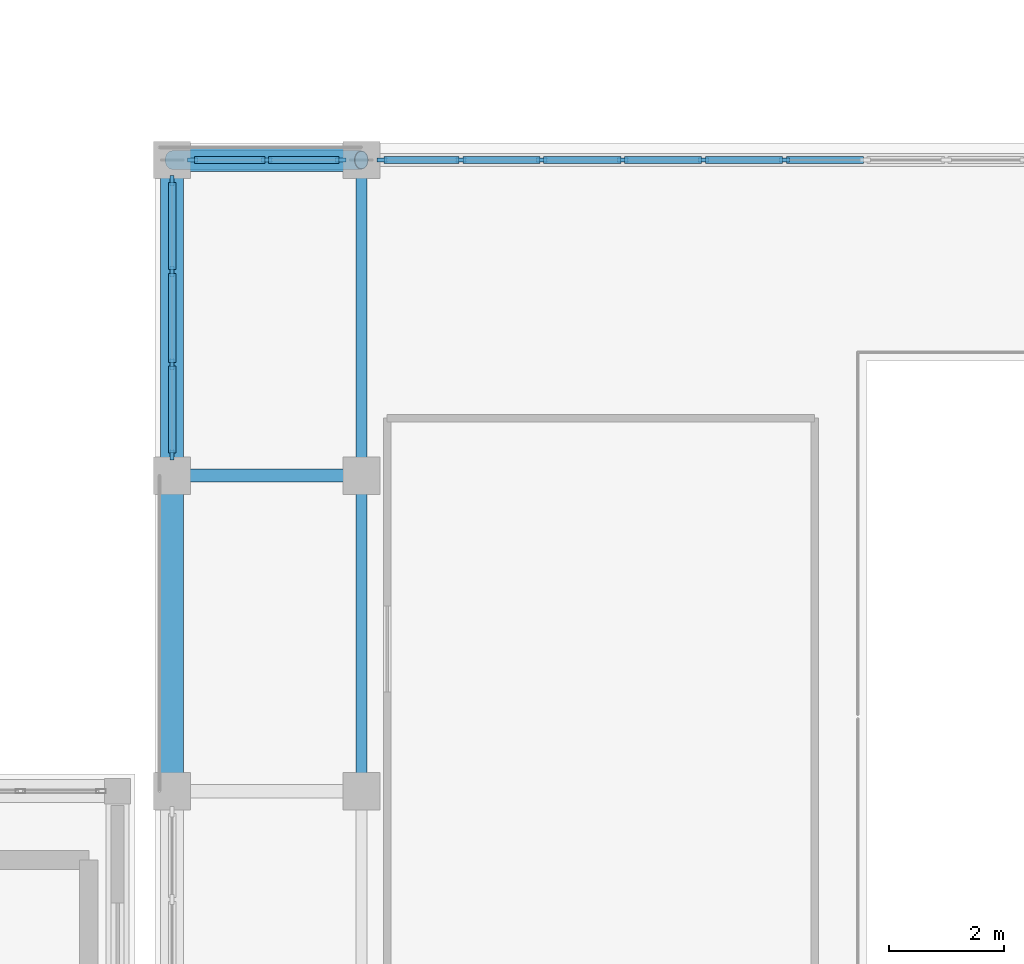
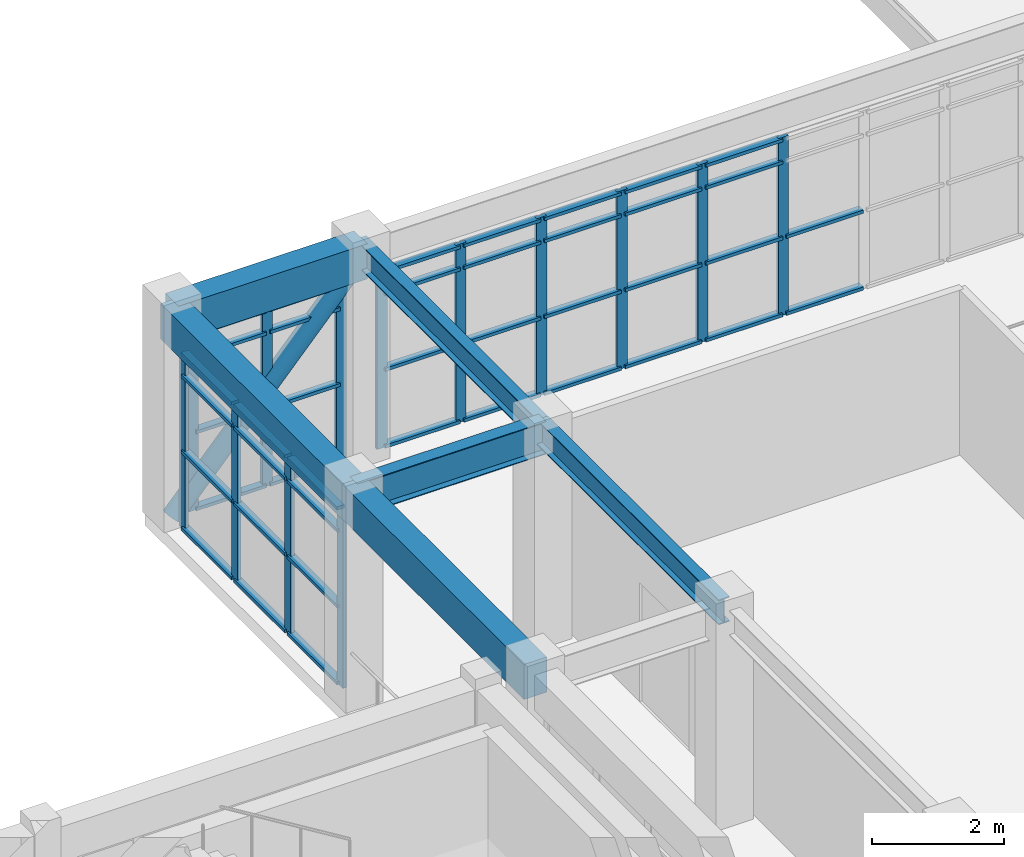
# One storey, part 24 of 66: 56 members, 6 beams, 3 elements without a shape of their own.
"""IFC4 building model written with IfcOpenShell, lengths in metres."""

from ifc_helpers import new_model, si_unit, direction, frame, origin, origin_2d, place, context, subcontext, project, spatial, rectangle, hollow_circle, i_section, extrude, material, layer, layer_set, material_profile, profile_set, type_object, element, aggregate, save


model = new_model("IFC4")

# Units and contexts
model_context = context("Model", 3, precision=1e-05, world=origin(), true_north=direction((0.0, 1.0)))
body_context = subcontext(model_context, "Body", "Model", "MODEL_VIEW")
ifc_project = project(units=[si_unit("LENGTHUNIT", "METRE"), si_unit("AREAUNIT", "SQUARE_METRE"), si_unit("VOLUMEUNIT", "CUBIC_METRE"), si_unit("PLANEANGLEUNIT", "RADIAN"), si_unit("MASSUNIT", "GRAM", prefix="KILO")], contexts=[model_context])

# Site, building, storey
site_placement = place(None, origin())
site = spatial("IfcSite", under=ifc_project, at=site_placement, CompositionType="ELEMENT")
building_placement = place(site_placement, origin())
building = spatial("IfcBuilding", under=site, at=building_placement, Name="Candilejo Ridge Gondola Terminal", CompositionType="ELEMENT")
storey_placement = place(building_placement, frame((0.0, 0.0, 14.39990234375)))
storey = spatial("IfcBuildingStorey", under=building, at=storey_placement, Name="L03", CompositionType="ELEMENT", Elevation=14.39990234375)

# Curtain wall, members
ifc_material_1 = material(Name="Anodised aluminium AA 6063-T6", Category="aluminium")
ifc_layer_1 = layer(ifc_material_1, 0.169921875)
ifc_layer_set_1 = layer_set([ifc_layer_1], Name="ARC-CW-HALL-3800-485X329")
curtain_wall_type_1 = type_object("IfcCurtainWallType", Name="ARC-CW-HALL-3800-485X329", PredefinedType="NOTDEFINED", material=ifc_layer_set_1)
curtain_wall_1_placement = place(storey_placement, origin())
curtain_wall_1 = element("IfcCurtainWall", 1, at=curtain_wall_1_placement, inside=storey, type_object=curtain_wall_type_1, Name="Curtain wall V4 L03-162", PredefinedType="NOTDEFINED")
ifc_material_2 = material(Name="Anodised aluminium AA 6063-T6", Category="aluminium")
ifc_material_profile_1 = material_profile(ifc_material_2, rectangle(XDim=0.06494140625, YDim=0.179931640625, at=origin_2d()))
ifc_profile_set_1 = profile_set([ifc_material_profile_1], Name="Anodised aluminium AA 6063-T6")
member_type_1 = type_object("IfcMemberType", Name="ARC-CW-MULLION-180", PredefinedType="MULLION", material=ifc_profile_set_1)
member_1_placement = place(storey_placement, frame((133.89990234375, 42.5576171875, 0.0), z_axis=(0.0, 0.0, 1.0), x_axis=(-1.0, 0.0, 0.0)))
member_1 = element("IfcMember", 2, at=member_1_placement, type_object=member_type_1, Name="CW-48X32 mullion 1", PredefinedType="MULLION", context=body_context, shape_type="SweptSolid", body=[
    extrude(rectangle(XDim=0.06494140625, YDim=0.179931640625, at=origin_2d()), origin(), (0.0, 0.0, 1.0), 3.2900390625),
])
member_2_placement = place(storey_placement, frame((133.89990234375, 44.1416015625, 0.0), z_axis=(0.0, 0.0, 1.0), x_axis=(-1.0, 0.0, 0.0)))
member_2 = element("IfcMember", 3, at=member_2_placement, type_object=member_type_1, Name="CW-48X32 mullion 2", PredefinedType="MULLION", context=body_context, shape_type="SweptSolid", body=[
    extrude(rectangle(XDim=0.06494140625, YDim=0.179931640625, at=origin_2d()), origin(), (0.0, 0.0, 1.0), 3.2900390625),
])
member_3_placement = place(storey_placement, frame((133.89990234375, 45.75830078125, 0.0), z_axis=(0.0, 0.0, 1.0), x_axis=(-1.0, 0.0, 0.0)))
member_3 = element("IfcMember", 4, at=member_3_placement, type_object=member_type_1, Name="CW-48X32 mullion 3", PredefinedType="MULLION", context=body_context, shape_type="SweptSolid", body=[
    extrude(rectangle(XDim=0.06494140625, YDim=0.179931640625, at=origin_2d()), origin(), (0.0, 0.0, 1.0), 3.2900390625),
])
member_4_placement = place(storey_placement, frame((133.89990234375, 47.342529296875, 0.0), z_axis=(0.0, 0.0, 1.0), x_axis=(-1.0, 0.0, 0.0)))
member_4 = element("IfcMember", 5, at=member_4_placement, type_object=member_type_1, Name="CW-48X32 mullion 4", PredefinedType="MULLION", context=body_context, shape_type="SweptSolid", body=[
    extrude(rectangle(XDim=0.06494140625, YDim=0.179931640625, at=origin_2d()), origin(), (0.0, 0.0, 1.0), 3.2900390625),
])

ifc_material_3 = material(Name="Anodised aluminium AA 6063-T6", Category="aluminium")
ifc_layer_2 = layer(ifc_material_3, 0.169921875)
ifc_layer_set_2 = layer_set([ifc_layer_2], Name="ARC-CW-HALL-3800-265X329")
curtain_wall_type_2 = type_object("IfcCurtainWallType", Name="ARC-CW-HALL-3800-265X329", PredefinedType="NOTDEFINED", material=ifc_layer_set_2)
curtain_wall_2_placement = place(storey_placement, origin())
curtain_wall_2 = element("IfcCurtainWall", 6, at=curtain_wall_2_placement, inside=storey, type_object=curtain_wall_type_2, Name="Curtain wall V4 L03-169", PredefinedType="NOTDEFINED")
member_5_placement = place(storey_placement, frame((134.257568359375, 47.699951171875, 0.0), z_axis=(0.0, 0.0, 1.0), x_axis=(0.0, 1.0, 0.0)))
member_5 = element("IfcMember", 7, at=member_5_placement, type_object=member_type_1, Name="CW-26X32 mullion 1", PredefinedType="MULLION", context=body_context, shape_type="SweptSolid", body=[
    extrude(rectangle(XDim=0.06494140625, YDim=0.179931640625, at=origin_2d()), origin(), (0.0, 0.0, 1.0), 3.2900390625),
])
member_6_placement = place(storey_placement, frame((135.550048828125, 47.699951171875, 0.0), z_axis=(0.0, 0.0, 1.0), x_axis=(0.0, 1.0, 0.0)))
member_6 = element("IfcMember", 8, at=member_6_placement, type_object=member_type_1, Name="CW-26X32 mullion 2", PredefinedType="MULLION", context=body_context, shape_type="SweptSolid", body=[
    extrude(rectangle(XDim=0.06494140625, YDim=0.179931640625, at=origin_2d()), origin(), (0.0, 0.0, 1.0), 3.2900390625),
])
member_7_placement = place(storey_placement, frame((136.842529296875, 47.699951171875, 0.0), z_axis=(0.0, 0.0, 1.0), x_axis=(0.0, 1.0, 0.0)))
member_7 = element("IfcMember", 9, at=member_7_placement, type_object=member_type_1, Name="CW-26X32 mullion 3", PredefinedType="MULLION", context=body_context, shape_type="SweptSolid", body=[
    extrude(rectangle(XDim=0.06494140625, YDim=0.179931640625, at=origin_2d()), origin(), (0.0, 0.0, 1.0), 3.2900390625),
])

ifc_material_4 = material(Name="Anodised aluminium AA 6063-T6", Category="aluminium")
ifc_layer_3 = layer(ifc_material_4, 0.169921875)
ifc_layer_set_3 = layer_set([ifc_layer_3], Name="ARC-CW-HALL-3800-1128X329")
curtain_wall_type_3 = type_object("IfcCurtainWallType", Name="ARC-CW-HALL-3800-1128X329", PredefinedType="NOTDEFINED", material=ifc_layer_set_3)
curtain_wall_3_placement = place(storey_placement, origin())
curtain_wall_3 = element("IfcCurtainWall", 10, at=curtain_wall_3_placement, inside=storey, type_object=curtain_wall_type_3, Name="Curtain wall V4 L03-171", PredefinedType="NOTDEFINED")
member_8_placement = place(storey_placement, frame((137.5576171875, 47.699951171875, 0.0), z_axis=(0.0, 0.0, 1.0), x_axis=(0.0, 1.0, 0.0)))
member_8 = element("IfcMember", 11, at=member_8_placement, type_object=member_type_1, Name="CW-112X32 mullion 1", PredefinedType="MULLION", context=body_context, shape_type="SweptSolid", body=[
    extrude(rectangle(XDim=0.06494140625, YDim=0.179931640625, at=origin_2d()), origin(), (0.0, 0.0, 1.0), 3.2900390625),
])
member_9_placement = place(storey_placement, frame((138.934326171875, 47.699951171875, 0.0), z_axis=(0.0, 0.0, 1.0), x_axis=(0.0, 1.0, 0.0)))
member_9 = element("IfcMember", 12, at=member_9_placement, type_object=member_type_1, Name="CW-112X32 mullion 2", PredefinedType="MULLION", context=body_context, shape_type="SweptSolid", body=[
    extrude(rectangle(XDim=0.06494140625, YDim=0.179931640625, at=origin_2d()), origin(), (0.0, 0.0, 1.0), 3.2900390625),
])
member_10_placement = place(storey_placement, frame((140.34375, 47.699951171875, 0.0), z_axis=(0.0, 0.0, 1.0), x_axis=(0.0, 1.0, 0.0)))
member_10 = element("IfcMember", 13, at=member_10_placement, type_object=member_type_1, Name="CW-112X32 mullion 3", PredefinedType="MULLION", context=body_context, shape_type="SweptSolid", body=[
    extrude(rectangle(XDim=0.06494140625, YDim=0.179931640625, at=origin_2d()), origin(), (0.0, 0.0, 1.0), 3.2900390625),
])
member_11_placement = place(storey_placement, frame((141.753173828125, 47.699951171875, 0.0), z_axis=(0.0, 0.0, 1.0), x_axis=(0.0, 1.0, 0.0)))
member_11 = element("IfcMember", 14, at=member_11_placement, type_object=member_type_1, Name="CW-112X32 mullion 4", PredefinedType="MULLION", context=body_context, shape_type="SweptSolid", body=[
    extrude(rectangle(XDim=0.06494140625, YDim=0.179931640625, at=origin_2d()), origin(), (0.0, 0.0, 1.0), 3.2900390625),
])
member_12_placement = place(storey_placement, frame((143.16259765625, 47.699951171875, 0.0), z_axis=(0.0, 0.0, 1.0), x_axis=(0.0, 1.0, 0.0)))
member_12 = element("IfcMember", 15, at=member_12_placement, type_object=member_type_1, Name="CW-112X32 mullion 5", PredefinedType="MULLION", context=body_context, shape_type="SweptSolid", body=[
    extrude(rectangle(XDim=0.06494140625, YDim=0.179931640625, at=origin_2d()), origin(), (0.0, 0.0, 1.0), 3.2900390625),
])
member_13_placement = place(storey_placement, frame((144.57177734375, 47.699951171875, 0.0), z_axis=(0.0, 0.0, 1.0), x_axis=(0.0, 1.0, 0.0)))
member_13 = element("IfcMember", 16, at=member_13_placement, type_object=member_type_1, Name="CW-112X32 mullion 6", PredefinedType="MULLION", context=body_context, shape_type="SweptSolid", body=[
    extrude(rectangle(XDim=0.06494140625, YDim=0.179931640625, at=origin_2d()), origin(), (0.0, 0.0, 1.0), 3.2900390625),
])

# Member
ifc_material_5 = material(Name="Anodised aluminium AA 6063-T6", Category="aluminium")
ifc_material_profile_2 = material_profile(ifc_material_5, rectangle(XDim=0.1298828125, YDim=0.06005859375, at=origin_2d()))
ifc_profile_set_2 = profile_set([ifc_material_profile_2], Name="Anodised aluminium AA 6063-T6")
member_type_2 = type_object("IfcMemberType", Name="ARC-CW-TRANSOM-130", PredefinedType="USERDEFINED", material=ifc_profile_set_2)
member_14_placement = place(storey_placement, frame((133.89990234375, 42.590087890625, 0.030029296875), z_axis=(0.0, 1.0, 0.0), x_axis=(-1.0, 0.0, 0.0)))
member_14 = element("IfcMember", 17, at=member_14_placement, type_object=member_type_2, Name="CW-48X32 transom 1.1", ObjectType="TRANSOM", PredefinedType="USERDEFINED", context=body_context, shape_type="SweptSolid", body=[
    extrude(rectangle(XDim=0.1298828125, YDim=0.06005859375, at=origin_2d()), origin(), (0.0, 0.0, 1.0), 1.51904296875),
])

member_15_placement = place(storey_placement, frame((133.89990234375, 42.590087890625, 1.4501953125), z_axis=(0.0, 1.0, 0.0), x_axis=(-1.0, 0.0, 0.0)))
member_15 = element("IfcMember", 18, at=member_15_placement, type_object=member_type_2, Name="CW-48X32 transom 1.2", ObjectType="TRANSOM", PredefinedType="USERDEFINED", context=body_context, shape_type="SweptSolid", body=[
    extrude(rectangle(XDim=0.1298828125, YDim=0.06005859375, at=origin_2d()), origin(), (0.0, 0.0, 1.0), 1.51904296875),
])

member_16_placement = place(storey_placement, frame((133.89990234375, 42.590087890625, 2.85009765625), z_axis=(0.0, 1.0, 0.0), x_axis=(-1.0, 0.0, 0.0)))
member_16 = element("IfcMember", 19, at=member_16_placement, type_object=member_type_2, Name="CW-48X32 transom 1.3", ObjectType="TRANSOM", PredefinedType="USERDEFINED", context=body_context, shape_type="SweptSolid", body=[
    extrude(rectangle(XDim=0.1298828125, YDim=0.06005859375, at=origin_2d()), origin(), (0.0, 0.0, 1.0), 1.51904296875),
])

member_17_placement = place(storey_placement, frame((133.89990234375, 42.590087890625, 3.260009765625), z_axis=(0.0, 1.0, 0.0), x_axis=(-1.0, 0.0, 0.0)))
member_17 = element("IfcMember", 20, at=member_17_placement, type_object=member_type_2, Name="CW-48X32 transom 1.4", ObjectType="TRANSOM", PredefinedType="USERDEFINED", context=body_context, shape_type="SweptSolid", body=[
    extrude(rectangle(XDim=0.1298828125, YDim=0.06005859375, at=origin_2d()), origin(), (0.0, 0.0, 1.0), 1.51904296875),
])

member_18_placement = place(storey_placement, frame((133.89990234375, 44.174072265625, 0.030029296875), z_axis=(0.0, 1.0, 0.0), x_axis=(-1.0, 0.0, 0.0)))
member_18 = element("IfcMember", 21, at=member_18_placement, type_object=member_type_2, Name="CW-48X32 transom 2.1", ObjectType="TRANSOM", PredefinedType="USERDEFINED", context=body_context, shape_type="SweptSolid", body=[
    extrude(rectangle(XDim=0.1298828125, YDim=0.06005859375, at=origin_2d()), origin(), (0.0, 0.0, 1.0), 1.5517578125),
])

member_19_placement = place(storey_placement, frame((133.89990234375, 44.174072265625, 1.4501953125), z_axis=(0.0, 1.0, 0.0), x_axis=(-1.0, 0.0, 0.0)))
member_19 = element("IfcMember", 22, at=member_19_placement, type_object=member_type_2, Name="CW-48X32 transom 2.2", ObjectType="TRANSOM", PredefinedType="USERDEFINED", context=body_context, shape_type="SweptSolid", body=[
    extrude(rectangle(XDim=0.1298828125, YDim=0.06005859375, at=origin_2d()), origin(), (0.0, 0.0, 1.0), 1.5517578125),
])

member_20_placement = place(storey_placement, frame((133.89990234375, 44.174072265625, 2.85009765625), z_axis=(0.0, 1.0, 0.0), x_axis=(-1.0, 0.0, 0.0)))
member_20 = element("IfcMember", 23, at=member_20_placement, type_object=member_type_2, Name="CW-48X32 transom 2.3", ObjectType="TRANSOM", PredefinedType="USERDEFINED", context=body_context, shape_type="SweptSolid", body=[
    extrude(rectangle(XDim=0.1298828125, YDim=0.06005859375, at=origin_2d()), origin(), (0.0, 0.0, 1.0), 1.5517578125),
])

member_21_placement = place(storey_placement, frame((133.89990234375, 44.174072265625, 3.260009765625), z_axis=(0.0, 1.0, 0.0), x_axis=(-1.0, 0.0, 0.0)))
member_21 = element("IfcMember", 24, at=member_21_placement, type_object=member_type_2, Name="CW-48X32 transom 2.4", ObjectType="TRANSOM", PredefinedType="USERDEFINED", context=body_context, shape_type="SweptSolid", body=[
    extrude(rectangle(XDim=0.1298828125, YDim=0.06005859375, at=origin_2d()), origin(), (0.0, 0.0, 1.0), 1.5517578125),
])

member_22_placement = place(storey_placement, frame((133.89990234375, 45.790771484375, 0.030029296875), z_axis=(0.0, 1.0, 0.0), x_axis=(-1.0, 0.0, 0.0)))
member_22 = element("IfcMember", 25, at=member_22_placement, type_object=member_type_2, Name="CW-48X32 transom 3.1", ObjectType="TRANSOM", PredefinedType="USERDEFINED", context=body_context, shape_type="SweptSolid", body=[
    extrude(rectangle(XDim=0.1298828125, YDim=0.06005859375, at=origin_2d()), origin(), (0.0, 0.0, 1.0), 1.519287109375),
])

member_23_placement = place(storey_placement, frame((133.89990234375, 45.790771484375, 1.4501953125), z_axis=(0.0, 1.0, 0.0), x_axis=(-1.0, 0.0, 0.0)))
member_23 = element("IfcMember", 26, at=member_23_placement, type_object=member_type_2, Name="CW-48X32 transom 3.2", ObjectType="TRANSOM", PredefinedType="USERDEFINED", context=body_context, shape_type="SweptSolid", body=[
    extrude(rectangle(XDim=0.1298828125, YDim=0.06005859375, at=origin_2d()), origin(), (0.0, 0.0, 1.0), 1.519287109375),
])

member_24_placement = place(storey_placement, frame((133.89990234375, 45.790771484375, 2.85009765625), z_axis=(0.0, 1.0, 0.0), x_axis=(-1.0, 0.0, 0.0)))
member_24 = element("IfcMember", 27, at=member_24_placement, type_object=member_type_2, Name="CW-48X32 transom 3.3", ObjectType="TRANSOM", PredefinedType="USERDEFINED", context=body_context, shape_type="SweptSolid", body=[
    extrude(rectangle(XDim=0.1298828125, YDim=0.06005859375, at=origin_2d()), origin(), (0.0, 0.0, 1.0), 1.519287109375),
])

member_25_placement = place(storey_placement, frame((133.89990234375, 45.790771484375, 3.260009765625), z_axis=(0.0, 1.0, 0.0), x_axis=(-1.0, 0.0, 0.0)))
member_25 = element("IfcMember", 28, at=member_25_placement, type_object=member_type_2, Name="CW-48X32 transom 3.4", ObjectType="TRANSOM", PredefinedType="USERDEFINED", context=body_context, shape_type="SweptSolid", body=[
    extrude(rectangle(XDim=0.1298828125, YDim=0.06005859375, at=origin_2d()), origin(), (0.0, 0.0, 1.0), 1.519287109375),
])

aggregate(curtain_wall_1, [member_1, member_2, member_3, member_4, member_14, member_15, member_16, member_17, member_18, member_19, member_20, member_21, member_22, member_23, member_24, member_25])

member_26_placement = place(storey_placement, frame((134.2900390625, 47.699951171875, 0.030029296875), z_axis=(1.0, 0.0, 0.0), x_axis=(0.0, 1.0, 0.0)))
member_26 = element("IfcMember", 29, at=member_26_placement, type_object=member_type_2, Name="CW-26X32 transom 1.1", ObjectType="TRANSOM", PredefinedType="USERDEFINED", context=body_context, shape_type="SweptSolid", body=[
    extrude(rectangle(XDim=0.1298828125, YDim=0.06005859375, at=origin_2d()), origin(), (0.0, 0.0, 1.0), 1.2275390625),
])

member_27_placement = place(storey_placement, frame((134.2900390625, 47.699951171875, 1.4501953125), z_axis=(1.0, 0.0, 0.0), x_axis=(0.0, 1.0, 0.0)))
member_27 = element("IfcMember", 30, at=member_27_placement, type_object=member_type_2, Name="CW-26X32 transom 1.2", ObjectType="TRANSOM", PredefinedType="USERDEFINED", context=body_context, shape_type="SweptSolid", body=[
    extrude(rectangle(XDim=0.1298828125, YDim=0.06005859375, at=origin_2d()), origin(), (0.0, 0.0, 1.0), 1.2275390625),
])

member_28_placement = place(storey_placement, frame((134.2900390625, 47.699951171875, 2.85009765625), z_axis=(1.0, 0.0, 0.0), x_axis=(0.0, 1.0, 0.0)))
member_28 = element("IfcMember", 31, at=member_28_placement, type_object=member_type_2, Name="CW-26X32 transom 1.3", ObjectType="TRANSOM", PredefinedType="USERDEFINED", context=body_context, shape_type="SweptSolid", body=[
    extrude(rectangle(XDim=0.1298828125, YDim=0.06005859375, at=origin_2d()), origin(), (0.0, 0.0, 1.0), 1.2275390625),
])

member_29_placement = place(storey_placement, frame((134.2900390625, 47.699951171875, 3.260009765625), z_axis=(1.0, 0.0, 0.0), x_axis=(0.0, 1.0, 0.0)))
member_29 = element("IfcMember", 32, at=member_29_placement, type_object=member_type_2, Name="CW-26X32 transom 1.4", ObjectType="TRANSOM", PredefinedType="USERDEFINED", context=body_context, shape_type="SweptSolid", body=[
    extrude(rectangle(XDim=0.1298828125, YDim=0.06005859375, at=origin_2d()), origin(), (0.0, 0.0, 1.0), 1.2275390625),
])

member_30_placement = place(storey_placement, frame((135.58251953125, 47.699951171875, 0.030029296875), z_axis=(1.0, 0.0, 0.0), x_axis=(0.0, 1.0, 0.0)))
member_30 = element("IfcMember", 33, at=member_30_placement, type_object=member_type_2, Name="CW-26X32 transom 2.1", ObjectType="TRANSOM", PredefinedType="USERDEFINED", context=body_context, shape_type="SweptSolid", body=[
    extrude(rectangle(XDim=0.1298828125, YDim=0.06005859375, at=origin_2d()), origin(), (0.0, 0.0, 1.0), 1.2275390625),
])

member_31_placement = place(storey_placement, frame((135.58251953125, 47.699951171875, 1.4501953125), z_axis=(1.0, 0.0, 0.0), x_axis=(0.0, 1.0, 0.0)))
member_31 = element("IfcMember", 34, at=member_31_placement, type_object=member_type_2, Name="CW-26X32 transom 2.2", ObjectType="TRANSOM", PredefinedType="USERDEFINED", context=body_context, shape_type="SweptSolid", body=[
    extrude(rectangle(XDim=0.1298828125, YDim=0.06005859375, at=origin_2d()), origin(), (0.0, 0.0, 1.0), 1.2275390625),
])

member_32_placement = place(storey_placement, frame((135.58251953125, 47.699951171875, 2.85009765625), z_axis=(1.0, 0.0, 0.0), x_axis=(0.0, 1.0, 0.0)))
member_32 = element("IfcMember", 35, at=member_32_placement, type_object=member_type_2, Name="CW-26X32 transom 2.3", ObjectType="TRANSOM", PredefinedType="USERDEFINED", context=body_context, shape_type="SweptSolid", body=[
    extrude(rectangle(XDim=0.1298828125, YDim=0.06005859375, at=origin_2d()), origin(), (0.0, 0.0, 1.0), 1.2275390625),
])

member_33_placement = place(storey_placement, frame((135.58251953125, 47.699951171875, 3.260009765625), z_axis=(1.0, 0.0, 0.0), x_axis=(0.0, 1.0, 0.0)))
member_33 = element("IfcMember", 36, at=member_33_placement, type_object=member_type_2, Name="CW-26X32 transom 2.4", ObjectType="TRANSOM", PredefinedType="USERDEFINED", context=body_context, shape_type="SweptSolid", body=[
    extrude(rectangle(XDim=0.1298828125, YDim=0.06005859375, at=origin_2d()), origin(), (0.0, 0.0, 1.0), 1.2275390625),
])

aggregate(curtain_wall_2, [member_5, member_6, member_7, member_26, member_27, member_28, member_29, member_30, member_31, member_32, member_33])

member_34_placement = place(storey_placement, frame((137.590087890625, 47.699951171875, 0.030029296875), z_axis=(1.0, 0.0, 0.0), x_axis=(0.0, 1.0, 0.0)))
member_34 = element("IfcMember", 37, at=member_34_placement, type_object=member_type_2, Name="CW-112X32 transom 1.1", ObjectType="TRANSOM", PredefinedType="USERDEFINED", context=body_context, shape_type="SweptSolid", body=[
    extrude(rectangle(XDim=0.1298828125, YDim=0.06005859375, at=origin_2d()), origin(), (0.0, 0.0, 1.0), 1.311767578125),
])

member_35_placement = place(storey_placement, frame((137.590087890625, 47.699951171875, 1.4501953125), z_axis=(1.0, 0.0, 0.0), x_axis=(0.0, 1.0, 0.0)))
member_35 = element("IfcMember", 38, at=member_35_placement, type_object=member_type_2, Name="CW-112X32 transom 1.2", ObjectType="TRANSOM", PredefinedType="USERDEFINED", context=body_context, shape_type="SweptSolid", body=[
    extrude(rectangle(XDim=0.1298828125, YDim=0.06005859375, at=origin_2d()), origin(), (0.0, 0.0, 1.0), 1.311767578125),
])

member_36_placement = place(storey_placement, frame((137.590087890625, 47.699951171875, 2.85009765625), z_axis=(1.0, 0.0, 0.0), x_axis=(0.0, 1.0, 0.0)))
member_36 = element("IfcMember", 39, at=member_36_placement, type_object=member_type_2, Name="CW-112X32 transom 1.3", ObjectType="TRANSOM", PredefinedType="USERDEFINED", context=body_context, shape_type="SweptSolid", body=[
    extrude(rectangle(XDim=0.1298828125, YDim=0.06005859375, at=origin_2d()), origin(), (0.0, 0.0, 1.0), 1.311767578125),
])

member_37_placement = place(storey_placement, frame((137.590087890625, 47.699951171875, 3.260009765625), z_axis=(1.0, 0.0, 0.0), x_axis=(0.0, 1.0, 0.0)))
member_37 = element("IfcMember", 40, at=member_37_placement, type_object=member_type_2, Name="CW-112X32 transom 1.4", ObjectType="TRANSOM", PredefinedType="USERDEFINED", context=body_context, shape_type="SweptSolid", body=[
    extrude(rectangle(XDim=0.1298828125, YDim=0.06005859375, at=origin_2d()), origin(), (0.0, 0.0, 1.0), 1.311767578125),
])

member_38_placement = place(storey_placement, frame((138.966796875, 47.699951171875, 0.030029296875), z_axis=(1.0, 0.0, 0.0), x_axis=(0.0, 1.0, 0.0)))
member_38 = element("IfcMember", 41, at=member_38_placement, type_object=member_type_2, Name="CW-112X32 transom 2.1", ObjectType="TRANSOM", PredefinedType="USERDEFINED", context=body_context, shape_type="SweptSolid", body=[
    extrude(rectangle(XDim=0.1298828125, YDim=0.06005859375, at=origin_2d()), origin(), (0.0, 0.0, 1.0), 1.344482421875),
])

member_39_placement = place(storey_placement, frame((138.966796875, 47.699951171875, 1.4501953125), z_axis=(1.0, 0.0, 0.0), x_axis=(0.0, 1.0, 0.0)))
member_39 = element("IfcMember", 42, at=member_39_placement, type_object=member_type_2, Name="CW-112X32 transom 2.2", ObjectType="TRANSOM", PredefinedType="USERDEFINED", context=body_context, shape_type="SweptSolid", body=[
    extrude(rectangle(XDim=0.1298828125, YDim=0.06005859375, at=origin_2d()), origin(), (0.0, 0.0, 1.0), 1.344482421875),
])

member_40_placement = place(storey_placement, frame((138.966796875, 47.699951171875, 2.85009765625), z_axis=(1.0, 0.0, 0.0), x_axis=(0.0, 1.0, 0.0)))
member_40 = element("IfcMember", 43, at=member_40_placement, type_object=member_type_2, Name="CW-112X32 transom 2.3", ObjectType="TRANSOM", PredefinedType="USERDEFINED", context=body_context, shape_type="SweptSolid", body=[
    extrude(rectangle(XDim=0.1298828125, YDim=0.06005859375, at=origin_2d()), origin(), (0.0, 0.0, 1.0), 1.344482421875),
])

member_41_placement = place(storey_placement, frame((138.966796875, 47.699951171875, 3.260009765625), z_axis=(1.0, 0.0, 0.0), x_axis=(0.0, 1.0, 0.0)))
member_41 = element("IfcMember", 44, at=member_41_placement, type_object=member_type_2, Name="CW-112X32 transom 2.4", ObjectType="TRANSOM", PredefinedType="USERDEFINED", context=body_context, shape_type="SweptSolid", body=[
    extrude(rectangle(XDim=0.1298828125, YDim=0.06005859375, at=origin_2d()), origin(), (0.0, 0.0, 1.0), 1.344482421875),
])

member_42_placement = place(storey_placement, frame((140.376220703125, 47.699951171875, 0.030029296875), z_axis=(1.0, 0.0, 0.0), x_axis=(0.0, 1.0, 0.0)))
member_42 = element("IfcMember", 45, at=member_42_placement, type_object=member_type_2, Name="CW-112X32 transom 3.1", ObjectType="TRANSOM", PredefinedType="USERDEFINED", context=body_context, shape_type="SweptSolid", body=[
    extrude(rectangle(XDim=0.1298828125, YDim=0.06005859375, at=origin_2d()), origin(), (0.0, 0.0, 1.0), 1.344482421875),
])

member_43_placement = place(storey_placement, frame((140.376220703125, 47.699951171875, 1.4501953125), z_axis=(1.0, 0.0, 0.0), x_axis=(0.0, 1.0, 0.0)))
member_43 = element("IfcMember", 46, at=member_43_placement, type_object=member_type_2, Name="CW-112X32 transom 3.2", ObjectType="TRANSOM", PredefinedType="USERDEFINED", context=body_context, shape_type="SweptSolid", body=[
    extrude(rectangle(XDim=0.1298828125, YDim=0.06005859375, at=origin_2d()), origin(), (0.0, 0.0, 1.0), 1.344482421875),
])

member_44_placement = place(storey_placement, frame((140.376220703125, 47.699951171875, 2.85009765625), z_axis=(1.0, 0.0, 0.0), x_axis=(0.0, 1.0, 0.0)))
member_44 = element("IfcMember", 47, at=member_44_placement, type_object=member_type_2, Name="CW-112X32 transom 3.3", ObjectType="TRANSOM", PredefinedType="USERDEFINED", context=body_context, shape_type="SweptSolid", body=[
    extrude(rectangle(XDim=0.1298828125, YDim=0.06005859375, at=origin_2d()), origin(), (0.0, 0.0, 1.0), 1.344482421875),
])

member_45_placement = place(storey_placement, frame((140.376220703125, 47.699951171875, 3.260009765625), z_axis=(1.0, 0.0, 0.0), x_axis=(0.0, 1.0, 0.0)))
member_45 = element("IfcMember", 48, at=member_45_placement, type_object=member_type_2, Name="CW-112X32 transom 3.4", ObjectType="TRANSOM", PredefinedType="USERDEFINED", context=body_context, shape_type="SweptSolid", body=[
    extrude(rectangle(XDim=0.1298828125, YDim=0.06005859375, at=origin_2d()), origin(), (0.0, 0.0, 1.0), 1.344482421875),
])

member_46_placement = place(storey_placement, frame((141.78564453125, 47.699951171875, 0.030029296875), z_axis=(1.0, 0.0, 0.0), x_axis=(0.0, 1.0, 0.0)))
member_46 = element("IfcMember", 49, at=member_46_placement, type_object=member_type_2, Name="CW-112X32 transom 4.1", ObjectType="TRANSOM", PredefinedType="USERDEFINED", context=body_context, shape_type="SweptSolid", body=[
    extrude(rectangle(XDim=0.1298828125, YDim=0.06005859375, at=origin_2d()), origin(), (0.0, 0.0, 1.0), 1.34423828125),
])

member_47_placement = place(storey_placement, frame((141.78564453125, 47.699951171875, 1.4501953125), z_axis=(1.0, 0.0, 0.0), x_axis=(0.0, 1.0, 0.0)))
member_47 = element("IfcMember", 50, at=member_47_placement, type_object=member_type_2, Name="CW-112X32 transom 4.2", ObjectType="TRANSOM", PredefinedType="USERDEFINED", context=body_context, shape_type="SweptSolid", body=[
    extrude(rectangle(XDim=0.1298828125, YDim=0.06005859375, at=origin_2d()), origin(), (0.0, 0.0, 1.0), 1.34423828125),
])

member_48_placement = place(storey_placement, frame((141.78564453125, 47.699951171875, 2.85009765625), z_axis=(1.0, 0.0, 0.0), x_axis=(0.0, 1.0, 0.0)))
member_48 = element("IfcMember", 51, at=member_48_placement, type_object=member_type_2, Name="CW-112X32 transom 4.3", ObjectType="TRANSOM", PredefinedType="USERDEFINED", context=body_context, shape_type="SweptSolid", body=[
    extrude(rectangle(XDim=0.1298828125, YDim=0.06005859375, at=origin_2d()), origin(), (0.0, 0.0, 1.0), 1.34423828125),
])

member_49_placement = place(storey_placement, frame((141.78564453125, 47.699951171875, 3.260009765625), z_axis=(1.0, 0.0, 0.0), x_axis=(0.0, 1.0, 0.0)))
member_49 = element("IfcMember", 52, at=member_49_placement, type_object=member_type_2, Name="CW-112X32 transom 4.4", ObjectType="TRANSOM", PredefinedType="USERDEFINED", context=body_context, shape_type="SweptSolid", body=[
    extrude(rectangle(XDim=0.1298828125, YDim=0.06005859375, at=origin_2d()), origin(), (0.0, 0.0, 1.0), 1.34423828125),
])

member_50_placement = place(storey_placement, frame((143.195068359375, 47.699951171875, 0.030029296875), z_axis=(1.0, 0.0, 0.0), x_axis=(0.0, 1.0, 0.0)))
member_50 = element("IfcMember", 53, at=member_50_placement, type_object=member_type_2, Name="CW-112X32 transom 5.1", ObjectType="TRANSOM", PredefinedType="USERDEFINED", context=body_context, shape_type="SweptSolid", body=[
    extrude(rectangle(XDim=0.1298828125, YDim=0.06005859375, at=origin_2d()), origin(), (0.0, 0.0, 1.0), 1.34423828125),
])

member_51_placement = place(storey_placement, frame((143.195068359375, 47.699951171875, 1.4501953125), z_axis=(1.0, 0.0, 0.0), x_axis=(0.0, 1.0, 0.0)))
member_51 = element("IfcMember", 54, at=member_51_placement, type_object=member_type_2, Name="CW-112X32 transom 5.2", ObjectType="TRANSOM", PredefinedType="USERDEFINED", context=body_context, shape_type="SweptSolid", body=[
    extrude(rectangle(XDim=0.1298828125, YDim=0.06005859375, at=origin_2d()), origin(), (0.0, 0.0, 1.0), 1.34423828125),
])

member_52_placement = place(storey_placement, frame((143.195068359375, 47.699951171875, 2.85009765625), z_axis=(1.0, 0.0, 0.0), x_axis=(0.0, 1.0, 0.0)))
member_52 = element("IfcMember", 55, at=member_52_placement, type_object=member_type_2, Name="CW-112X32 transom 5.3", ObjectType="TRANSOM", PredefinedType="USERDEFINED", context=body_context, shape_type="SweptSolid", body=[
    extrude(rectangle(XDim=0.1298828125, YDim=0.06005859375, at=origin_2d()), origin(), (0.0, 0.0, 1.0), 1.34423828125),
])

member_53_placement = place(storey_placement, frame((143.195068359375, 47.699951171875, 3.260009765625), z_axis=(1.0, 0.0, 0.0), x_axis=(0.0, 1.0, 0.0)))
member_53 = element("IfcMember", 56, at=member_53_placement, type_object=member_type_2, Name="CW-112X32 transom 5.4", ObjectType="TRANSOM", PredefinedType="USERDEFINED", context=body_context, shape_type="SweptSolid", body=[
    extrude(rectangle(XDim=0.1298828125, YDim=0.06005859375, at=origin_2d()), origin(), (0.0, 0.0, 1.0), 1.34423828125),
])

member_54_placement = place(storey_placement, frame((144.6044921875, 47.699951171875, 0.030029296875), z_axis=(1.0, 0.0, 0.0), x_axis=(0.0, 1.0, 0.0)))
member_54 = element("IfcMember", 57, at=member_54_placement, type_object=member_type_2, Name="CW-112X32 transom 6.1", ObjectType="TRANSOM", PredefinedType="USERDEFINED", context=body_context, shape_type="SweptSolid", body=[
    extrude(rectangle(XDim=0.1298828125, YDim=0.06005859375, at=origin_2d()), origin(), (0.0, 0.0, 1.0), 1.34423828125),
])

member_55_placement = place(storey_placement, frame((144.6044921875, 47.699951171875, 1.4501953125), z_axis=(1.0, 0.0, 0.0), x_axis=(0.0, 1.0, 0.0)))
member_55 = element("IfcMember", 58, at=member_55_placement, type_object=member_type_2, Name="CW-112X32 transom 6.2", ObjectType="TRANSOM", PredefinedType="USERDEFINED", context=body_context, shape_type="SweptSolid", body=[
    extrude(rectangle(XDim=0.1298828125, YDim=0.06005859375, at=origin_2d()), origin(), (0.0, 0.0, 1.0), 1.34423828125),
])

aggregate(curtain_wall_3, [member_8, member_9, member_10, member_11, member_12, member_13, member_34, member_35, member_36, member_37, member_38, member_39, member_40, member_41, member_42, member_43, member_44, member_45, member_46, member_47, member_48, member_49, member_50, member_51, member_52, member_53, member_54, member_55])

# Beams
ifc_material_6 = material(Name="Steel ASTM A992 Grade 50", Category="steel")
ifc_material_profile_3 = material_profile(ifc_material_6, i_section(OverallWidth=0.19189453125, OverallDepth=0.462890625, WebThickness=0.010498046875, FlangeThickness=0.017578125, at=origin_2d()))
ifc_profile_set_3 = profile_set([ifc_material_profile_3], Name="Steel ASTM A992 Grade 50")
beam_type_1 = type_object("IfcBeamType", Name="STR-BM-W460X89", PredefinedType="BEAM", material=ifc_profile_set_3)
for number, where, z_axis, x_axis, name in (
    (59, (137.199951171875, 36.699951171875, 3.7685546875), (0.0, 1.0, 0.0), (-1.0, 0.0, 0.0), "Beam Y V4 L03 Y07-Y08@X22"),
    (60, (137.199951171875, 42.199951171875, 3.7685546875), (0.0, 1.0, 0.0), (-1.0, 0.0, 0.0), "Beam Y V4 L03 Y08-Y09@X22"),
):
    element("IfcBeam", number, at=place(storey_placement, frame(where, z_axis=z_axis, x_axis=x_axis)), inside=storey, type_object=beam_type_1, Name=name, PredefinedType="BEAM", context=body_context, shape_type="SweptSolid", body=[
        extrude(i_section(OverallWidth=0.19189453125, OverallDepth=0.462890625, WebThickness=0.010498046875, FlangeThickness=0.017578125, at=origin_2d()), origin(), (0.0, 0.0, 1.0), 5.5),
    ])
ifc_material_7 = material(Name="Steel ASTM A992 Grade 50", Category="steel")
ifc_material_profile_4 = material_profile(ifc_material_7, i_section(OverallWidth=0.22802734375, OverallDepth=0.60302734375, WebThickness=0.010498046875, FlangeThickness=0.014892578125, at=origin_2d()))
ifc_profile_set_4 = profile_set([ifc_material_profile_4], Name="Steel ASTM A992 Grade 50")
beam_type_2 = type_object("IfcBeamType", Name="STR-BM-W610X101", PredefinedType="BEAM", material=ifc_profile_set_4)
beam_1_placement = place(storey_placement, frame((133.89990234375, 42.199951171875, 3.698486328125), z_axis=(1.0, 0.0, 0.0), x_axis=(0.0, 1.0, 0.0)))
element("IfcBeam", 61, at=beam_1_placement, inside=storey, type_object=beam_type_2, Name="Beam X V4 L03 X21-X22@Y08", PredefinedType="BEAM", context=body_context, shape_type="SweptSolid", body=[
    extrude(i_section(OverallWidth=0.22802734375, OverallDepth=0.60302734375, WebThickness=0.010498046875, FlangeThickness=0.014892578125, at=origin_2d()), origin(), (0.0, 0.0, 1.0), 3.300048828125),
])
ifc_material_8 = material(Name="Concrete f'c 35 MPa (C35/45)", Category="concrete")
ifc_material_profile_5 = material_profile(ifc_material_8, rectangle(XDim=0.39990234375, YDim=0.64990234375, at=origin_2d()))
ifc_profile_set_5 = profile_set([ifc_material_profile_5], Name="Concrete f'c 35 MPa (C35/45)")
beam_type_3 = type_object("IfcBeamType", Name="STR-SPN-RC400X650", PredefinedType="SPANDREL", material=ifc_profile_set_5)
beam_2_placement = place(storey_placement, frame((133.89990234375, 47.699951171875, 3.675048828125), z_axis=(1.0, 0.0, 0.0), x_axis=(0.0, 1.0, 0.0)))
element("IfcBeam", 62, at=beam_2_placement, inside=storey, type_object=beam_type_3, Name="Beam X V4 L03 X21-X22@Y09", PredefinedType="SPANDREL", context=body_context, shape_type="SweptSolid", body=[
    extrude(rectangle(XDim=0.39990234375, YDim=0.64990234375, at=origin_2d()), origin(), (0.0, 0.0, 1.0), 3.300048828125),
])
for number, where, z_axis, x_axis, name in (
    (63, (133.89990234375, 36.699951171875, 3.675048828125), (0.0, 1.0, 0.0), (-1.0, 0.0, 0.0), "Beam Y V4 L03 Y07-Y08@X21"),
    (64, (133.89990234375, 42.199951171875, 3.675048828125), (0.0, 1.0, 0.0), (-1.0, 0.0, 0.0), "Beam Y V4 L03 Y08-Y09@X21"),
):
    element("IfcBeam", number, at=place(storey_placement, frame(where, z_axis=z_axis, x_axis=x_axis)), inside=storey, type_object=beam_type_3, Name=name, PredefinedType="SPANDREL", context=body_context, shape_type="SweptSolid", body=[
        extrude(rectangle(XDim=0.39990234375, YDim=0.64990234375, at=origin_2d()), origin(), (0.0, 0.0, 1.0), 5.5),
    ])

# Member
ifc_material_9 = material(Name="Steel ASTM A500 Grade C", Category="steel")
ifc_material_profile_6 = material_profile(ifc_material_9, hollow_circle(Radius=0.161865234375, WallThickness=0.010009765625, at=origin_2d()))
ifc_profile_set_6 = profile_set([ifc_material_profile_6], Name="Steel ASTM A500 Grade C")
member_type_3 = type_object("IfcMemberType", Name="STR-STR-CHS324", PredefinedType="STRUT", material=ifc_profile_set_6)
member_56_placement = place(storey_placement, frame((133.89990234375, 47.699951171875, 0.0), z_axis=(0.670045812483, 0.0, 0.742319748608), x_axis=(0.0, 1.0, 0.0)))
element("IfcMember", 65, at=member_56_placement, inside=storey, type_object=member_type_3, Name="Ropeway portal tie-down strut 01", PredefinedType="STRUT", context=body_context, shape_type="SweptSolid", body=[
    extrude(hollow_circle(Radius=0.161865234375, WallThickness=0.010009765625, at=origin_2d()), origin(), (0.0, 0.0, 1.0), 4.925048828125),
])

save(model, "model.ifc")
